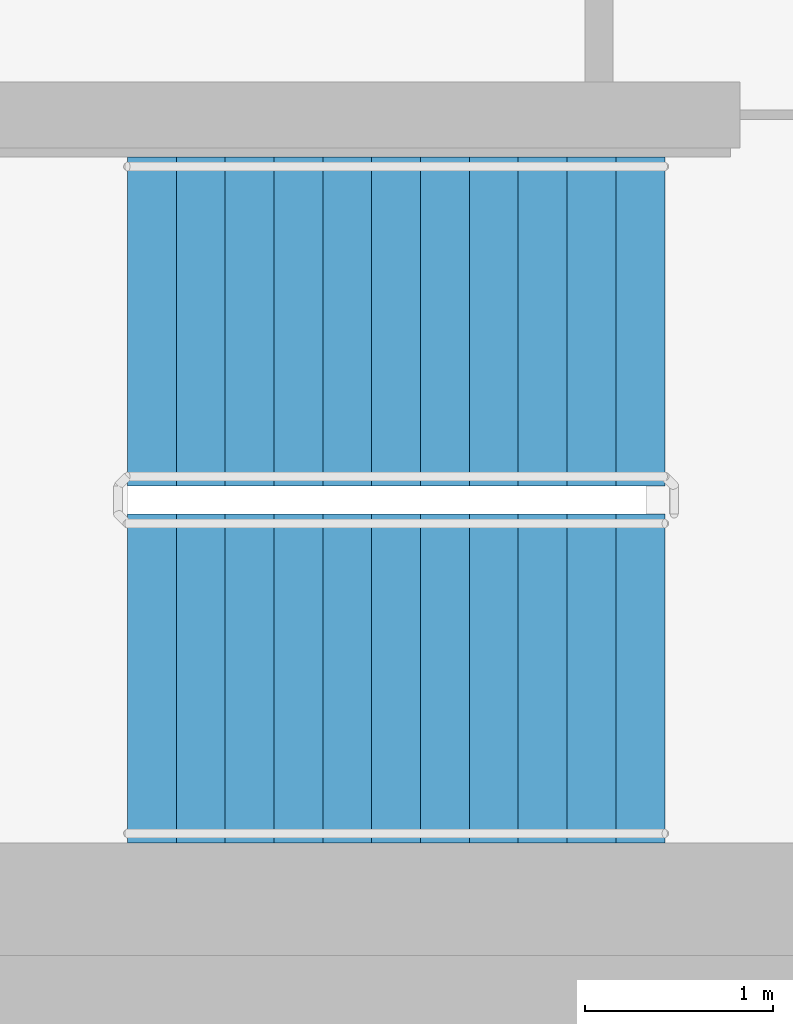
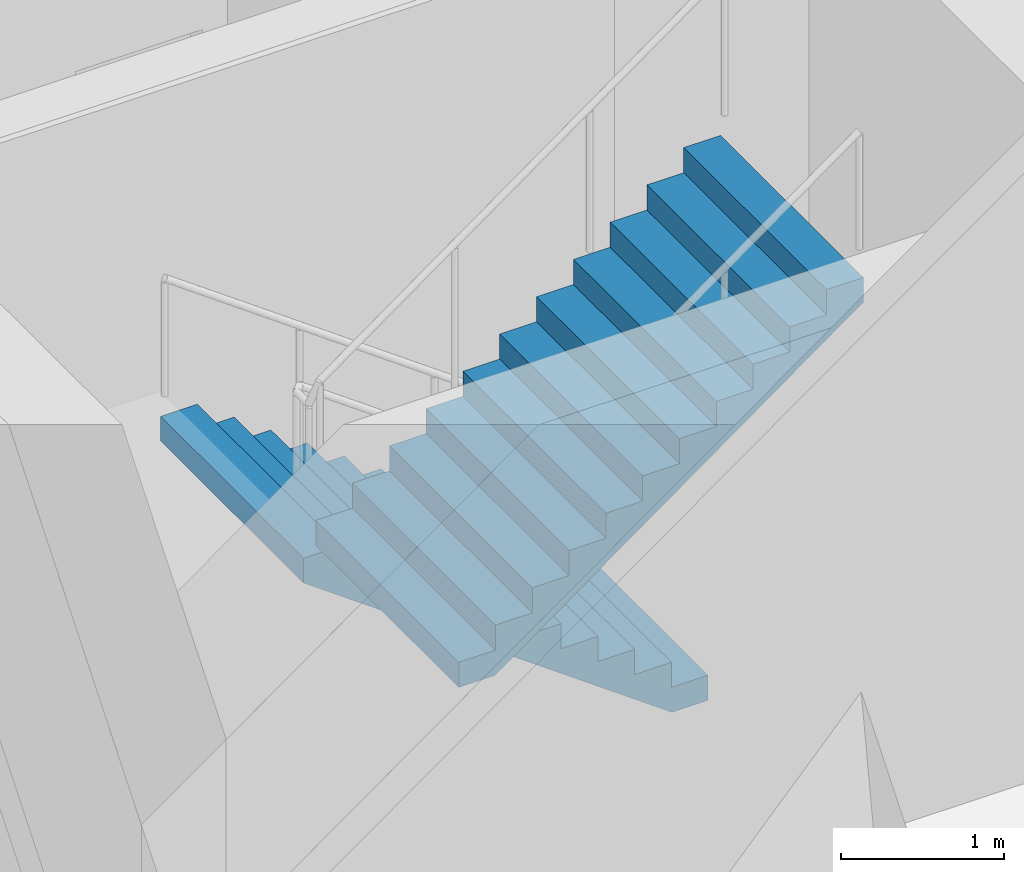
# One storey, part 8 of 12: 2 stair flights, 1 element without a shape of its own.
"""IFC4 building model written with IfcOpenShell, lengths in metres."""

from ifc_helpers import new_model, si_unit, direction, frame, origin, place, context, subcontext, project, spatial, faceted_brep, material, type_object, element, aggregate, save


model = new_model("IFC4")

# Units and contexts
model_context = context("Model", 3, precision=1e-05, world=origin(), true_north=direction((0.0, 1.0)))
body_context = subcontext(model_context, "Body", "Model", "MODEL_VIEW")
ifc_project = project(units=[si_unit("LENGTHUNIT", "METRE"), si_unit("AREAUNIT", "SQUARE_METRE"), si_unit("VOLUMEUNIT", "CUBIC_METRE"), si_unit("PLANEANGLEUNIT", "RADIAN"), si_unit("MASSUNIT", "GRAM", prefix="KILO")], contexts=[model_context])

# Site, building, storey
site_placement = place(None, origin())
site = spatial("IfcSite", under=ifc_project, at=site_placement, CompositionType="ELEMENT")
building_placement = place(site_placement, origin())
building = spatial("IfcBuilding", under=site, at=building_placement, Name="Ipe Terrace Towers", CompositionType="ELEMENT")
storey_placement = place(building_placement, frame((0.0, 0.0, 255.89990234375)))
storey = spatial("IfcBuildingStorey", under=building, at=storey_placement, Name="L70", CompositionType="ELEMENT", Elevation=255.89990234375)

# Stair, stair flights
ifc_material_1 = material(Name="Concrete C30/37", Category="concrete")
stair_type = type_object("IfcStairType", Name="Protected exit stair", PredefinedType="HALF_TURN_STAIR", material=ifc_material_1)
stair_placement = place(storey_placement, origin())
stair = element("IfcStair", 1, at=stair_placement, inside=storey, type_object=stair_type, Name="L70 Exit stair T1-C2", PredefinedType="HALF_TURN_STAIR")
ifc_material_2 = material(Name="Concrete C30/37", Category="concrete")
stair_flight_type = type_object("IfcStairFlightType", Name="Exit stair flight 1750", PredefinedType="STRAIGHT", material=ifc_material_2)
stair_flight_1_placement = place(storey_placement, frame((-45.699951171875, -2.77490234375, 0.0), z_axis=(0.0, 0.0, 1.0), x_axis=(-1.0, 0.0, 0.0)))
stair_flight_1 = element("IfcStairFlight", 2, at=stair_flight_1_placement, type_object=stair_flight_type, Name="T1-ST2 flight 1", NumberOfRisers=12, NumberOfTreads=11, PredefinedType="STRAIGHT", RiserHeight=0.1875, TreadLength=0.26, context=body_context, shape_type="Brep", body=[
    faceted_brep([(0.25634765625, -0.875, 0.0), (2.860107421875, -0.875, 1.877685546875), (2.860107421875, -0.875, 2.0625), (2.60009765625, -0.875, 2.0625), (2.60009765625, -0.875, 1.875), (2.340087890625, -0.875, 1.875), (2.340087890625, -0.875, 1.6875), (2.080078125, -0.875, 1.6875), (2.080078125, -0.875, 1.5), (1.820068359375, -0.875, 1.5), (1.820068359375, -0.875, 1.3125), (1.56005859375, -0.875, 1.3125), (1.56005859375, -0.875, 1.125), (1.300048828125, -0.875, 1.125), (1.300048828125, -0.875, 0.9375), (1.0400390625, -0.875, 0.9375), (1.0400390625, -0.875, 0.75), (0.780029296875, -0.875, 0.75), (0.780029296875, -0.875, 0.5625), (0.52001953125, -0.875, 0.5625), (0.52001953125, -0.875, 0.375), (0.260009765625, -0.875, 0.375), (0.260009765625, -0.875, 0.1875), (0.0, -0.875, 0.1875), (0.0, -0.875, 0.0), (0.0, 0.875, 0.0), (0.0, 0.875, 0.1875), (0.260009765625, 0.875, 0.1875), (0.260009765625, 0.875, 0.375), (0.52001953125, 0.875, 0.375), (0.52001953125, 0.875, 0.5625), (0.780029296875, 0.875, 0.5625), (0.780029296875, 0.875, 0.75), (1.0400390625, 0.875, 0.75), (1.0400390625, 0.875, 0.9375), (1.300048828125, 0.875, 0.9375), (1.300048828125, 0.875, 1.125), (1.56005859375, 0.875, 1.125), (1.56005859375, 0.875, 1.3125), (1.820068359375, 0.875, 1.3125), (1.820068359375, 0.875, 1.5), (2.080078125, 0.875, 1.5), (2.080078125, 0.875, 1.6875), (2.340087890625, 0.875, 1.6875), (2.340087890625, 0.875, 1.875), (2.60009765625, 0.875, 1.875), (2.60009765625, 0.875, 2.0625), (2.860107421875, 0.875, 2.0625), (2.860107421875, 0.875, 1.877685546875), (0.25634765625, 0.875, 0.0), (0.0, -0.300048828125, 0.1875), (0.0, -0.1201171875, 0.1875), (0.0, -0.06005859375, 0.1875), (0.0, -0.030029296875, 0.1875), (0.0, -0.010009765625, 0.1875), (0.0, 0.0, 0.1875), (0.0, 0.010009765625, 0.1875), (0.0, 0.030029296875, 0.1875), (0.0, 0.06005859375, 0.1875), (0.0, 0.1201171875, 0.1875), (0.0, 0.300048828125, 0.1875), (0.0, 0.300048828125, 0.0), (0.0, 0.1201171875, 0.0), (0.0, 0.06005859375, 0.0), (0.0, 0.030029296875, 0.0), (0.0, 0.010009765625, 0.0), (0.0, 0.0, 0.0), (0.0, -0.010009765625, 0.0), (0.0, -0.030029296875, 0.0), (0.0, -0.06005859375, 0.0), (0.0, -0.1201171875, 0.0), (0.0, -0.300048828125, 0.0), (0.260009765625, -0.300048828125, 0.1875), (0.260009765625, -0.1201171875, 0.1875), (0.260009765625, -0.06005859375, 0.1875), (0.260009765625, -0.030029296875, 0.1875), (0.260009765625, -0.010009765625, 0.1875), (0.260009765625, 0.0, 0.1875), (0.260009765625, 0.010009765625, 0.1875), (0.260009765625, 0.030029296875, 0.1875), (0.260009765625, 0.06005859375, 0.1875), (0.260009765625, 0.1201171875, 0.1875), (0.260009765625, 0.300048828125, 0.1875), (0.260009765625, -0.300048828125, 0.375), (0.260009765625, -0.1201171875, 0.375), (0.260009765625, -0.06005859375, 0.375), (0.260009765625, -0.030029296875, 0.375), (0.260009765625, -0.010009765625, 0.375), (0.260009765625, 0.0, 0.375), (0.260009765625, 0.010009765625, 0.375), (0.260009765625, 0.030029296875, 0.375), (0.260009765625, 0.06005859375, 0.375), (0.260009765625, 0.1201171875, 0.375), (0.260009765625, 0.300048828125, 0.375), (0.52001953125, -0.300048828125, 0.375), (0.52001953125, -0.1201171875, 0.375), (0.52001953125, -0.06005859375, 0.375), (0.52001953125, -0.030029296875, 0.375), (0.52001953125, -0.010009765625, 0.375), (0.52001953125, 0.0, 0.375), (0.52001953125, 0.010009765625, 0.375), (0.52001953125, 0.030029296875, 0.375), (0.52001953125, 0.06005859375, 0.375), (0.52001953125, 0.1201171875, 0.375), (0.52001953125, 0.300048828125, 0.375), (0.52001953125, -0.300048828125, 0.5625), (0.52001953125, -0.1201171875, 0.5625), (0.52001953125, -0.06005859375, 0.5625), (0.52001953125, -0.030029296875, 0.5625), (0.52001953125, -0.010009765625, 0.5625), (0.52001953125, 0.0, 0.5625), (0.52001953125, 0.010009765625, 0.5625), (0.52001953125, 0.030029296875, 0.5625), (0.52001953125, 0.06005859375, 0.5625), (0.52001953125, 0.1201171875, 0.5625), (0.52001953125, 0.300048828125, 0.5625), (0.780029296875, -0.300048828125, 0.5625), (0.780029296875, -0.1201171875, 0.5625), (0.780029296875, -0.06005859375, 0.5625), (0.780029296875, -0.030029296875, 0.5625), (0.780029296875, -0.010009765625, 0.5625), (0.780029296875, 0.0, 0.5625), (0.780029296875, 0.010009765625, 0.5625), (0.780029296875, 0.030029296875, 0.5625), (0.780029296875, 0.06005859375, 0.5625), (0.780029296875, 0.1201171875, 0.5625), (0.780029296875, 0.300048828125, 0.5625), (0.780029296875, -0.300048828125, 0.75), (0.780029296875, -0.1201171875, 0.75), (0.780029296875, -0.06005859375, 0.75), (0.780029296875, -0.030029296875, 0.75), (0.780029296875, -0.010009765625, 0.75), (0.780029296875, 0.0, 0.75), (0.780029296875, 0.010009765625, 0.75), (0.780029296875, 0.030029296875, 0.75), (0.780029296875, 0.06005859375, 0.75), (0.780029296875, 0.1201171875, 0.75), (0.780029296875, 0.300048828125, 0.75), (1.0400390625, -0.300048828125, 0.75), (1.0400390625, -0.1201171875, 0.75), (1.0400390625, -0.06005859375, 0.75), (1.0400390625, -0.030029296875, 0.75), (1.0400390625, -0.010009765625, 0.75), (1.0400390625, 0.0, 0.75), (1.0400390625, 0.010009765625, 0.75), (1.0400390625, 0.030029296875, 0.75), (1.0400390625, 0.06005859375, 0.75), (1.0400390625, 0.1201171875, 0.75), (1.0400390625, 0.300048828125, 0.75), (1.0400390625, -0.300048828125, 0.9375), (1.0400390625, -0.1201171875, 0.9375), (1.0400390625, -0.06005859375, 0.9375), (1.0400390625, -0.030029296875, 0.9375), (1.0400390625, -0.010009765625, 0.9375), (1.0400390625, 0.0, 0.9375), (1.0400390625, 0.010009765625, 0.9375), (1.0400390625, 0.030029296875, 0.9375), (1.0400390625, 0.06005859375, 0.9375), (1.0400390625, 0.1201171875, 0.9375), (1.0400390625, 0.300048828125, 0.9375), (1.300048828125, -0.300048828125, 0.9375), (1.300048828125, -0.1201171875, 0.9375), (1.300048828125, -0.06005859375, 0.9375), (1.300048828125, -0.030029296875, 0.9375), (1.300048828125, -0.010009765625, 0.9375), (1.300048828125, 0.0, 0.9375), (1.300048828125, 0.010009765625, 0.9375), (1.300048828125, 0.030029296875, 0.9375), (1.300048828125, 0.06005859375, 0.9375), (1.300048828125, 0.1201171875, 0.9375), (1.300048828125, 0.300048828125, 0.9375), (1.300048828125, -0.300048828125, 1.125), (1.300048828125, -0.1201171875, 1.125), (1.300048828125, -0.06005859375, 1.125), (1.300048828125, -0.030029296875, 1.125), (1.300048828125, -0.010009765625, 1.125), (1.300048828125, 0.0, 1.125), (1.300048828125, 0.010009765625, 1.125), (1.300048828125, 0.030029296875, 1.125), (1.300048828125, 0.06005859375, 1.125), (1.300048828125, 0.1201171875, 1.125), (1.300048828125, 0.300048828125, 1.125), (1.56005859375, -0.300048828125, 1.125), (1.56005859375, -0.1201171875, 1.125), (1.56005859375, -0.06005859375, 1.125), (1.56005859375, -0.030029296875, 1.125), (1.56005859375, -0.010009765625, 1.125), (1.56005859375, 0.0, 1.125), (1.56005859375, 0.010009765625, 1.125), (1.56005859375, 0.030029296875, 1.125), (1.56005859375, 0.06005859375, 1.125), (1.56005859375, 0.1201171875, 1.125), (1.56005859375, 0.300048828125, 1.125), (1.56005859375, -0.300048828125, 1.3125), (1.56005859375, -0.1201171875, 1.3125), (1.56005859375, -0.06005859375, 1.3125), (1.56005859375, -0.030029296875, 1.3125), (1.56005859375, -0.010009765625, 1.3125), (1.56005859375, 0.0, 1.3125), (1.56005859375, 0.010009765625, 1.3125), (1.56005859375, 0.030029296875, 1.3125), (1.56005859375, 0.06005859375, 1.3125), (1.56005859375, 0.1201171875, 1.3125), (1.56005859375, 0.300048828125, 1.3125), (1.820068359375, -0.300048828125, 1.3125), (1.820068359375, -0.1201171875, 1.3125), (1.820068359375, -0.06005859375, 1.3125), (1.820068359375, -0.030029296875, 1.3125), (1.820068359375, -0.010009765625, 1.3125), (1.820068359375, 0.0, 1.3125), (1.820068359375, 0.010009765625, 1.3125), (1.820068359375, 0.030029296875, 1.3125), (1.820068359375, 0.06005859375, 1.3125), (1.820068359375, 0.1201171875, 1.3125), (1.820068359375, 0.300048828125, 1.3125), (1.820068359375, -0.300048828125, 1.5), (1.820068359375, -0.1201171875, 1.5), (1.820068359375, -0.06005859375, 1.5), (1.820068359375, -0.030029296875, 1.5), (1.820068359375, -0.010009765625, 1.5), (1.820068359375, 0.0, 1.5), (1.820068359375, 0.010009765625, 1.5), (1.820068359375, 0.030029296875, 1.5), (1.820068359375, 0.06005859375, 1.5), (1.820068359375, 0.1201171875, 1.5), (1.820068359375, 0.300048828125, 1.5), (2.080078125, -0.300048828125, 1.5), (2.080078125, -0.1201171875, 1.5), (2.080078125, -0.06005859375, 1.5), (2.080078125, -0.030029296875, 1.5), (2.080078125, -0.010009765625, 1.5), (2.080078125, 0.0, 1.5), (2.080078125, 0.010009765625, 1.5), (2.080078125, 0.030029296875, 1.5), (2.080078125, 0.06005859375, 1.5), (2.080078125, 0.1201171875, 1.5), (2.080078125, 0.300048828125, 1.5), (2.080078125, -0.300048828125, 1.6875), (2.080078125, -0.1201171875, 1.6875), (2.080078125, -0.06005859375, 1.6875), (2.080078125, -0.030029296875, 1.6875), (2.080078125, -0.010009765625, 1.6875), (2.080078125, 0.0, 1.6875), (2.080078125, 0.010009765625, 1.6875), (2.080078125, 0.030029296875, 1.6875), (2.080078125, 0.06005859375, 1.6875), (2.080078125, 0.1201171875, 1.6875), (2.080078125, 0.300048828125, 1.6875), (2.340087890625, -0.300048828125, 1.6875), (2.340087890625, -0.1201171875, 1.6875), (2.340087890625, -0.06005859375, 1.6875), (2.340087890625, -0.030029296875, 1.6875), (2.340087890625, -0.010009765625, 1.6875), (2.340087890625, 0.0, 1.6875), (2.340087890625, 0.010009765625, 1.6875), (2.340087890625, 0.030029296875, 1.6875), (2.340087890625, 0.06005859375, 1.6875), (2.340087890625, 0.1201171875, 1.6875), (2.340087890625, 0.300048828125, 1.6875), (2.340087890625, -0.300048828125, 1.875), (2.340087890625, -0.1201171875, 1.875), (2.340087890625, -0.06005859375, 1.875), (2.340087890625, -0.030029296875, 1.875), (2.340087890625, -0.010009765625, 1.875), (2.340087890625, 0.0, 1.875), (2.340087890625, 0.010009765625, 1.875), (2.340087890625, 0.030029296875, 1.875), (2.340087890625, 0.06005859375, 1.875), (2.340087890625, 0.1201171875, 1.875), (2.340087890625, 0.300048828125, 1.875), (2.60009765625, -0.300048828125, 1.875), (2.60009765625, -0.1201171875, 1.875), (2.60009765625, -0.06005859375, 1.875), (2.60009765625, -0.030029296875, 1.875), (2.60009765625, -0.010009765625, 1.875), (2.60009765625, 0.0, 1.875), (2.60009765625, 0.010009765625, 1.875), (2.60009765625, 0.030029296875, 1.875), (2.60009765625, 0.06005859375, 1.875), (2.60009765625, 0.1201171875, 1.875), (2.60009765625, 0.300048828125, 1.875), (2.60009765625, -0.300048828125, 2.0625), (2.60009765625, -0.1201171875, 2.0625), (2.60009765625, -0.06005859375, 2.0625), (2.60009765625, -0.030029296875, 2.0625), (2.60009765625, -0.010009765625, 2.0625), (2.60009765625, 0.0, 2.0625), (2.60009765625, 0.010009765625, 2.0625), (2.60009765625, 0.030029296875, 2.0625), (2.60009765625, 0.06005859375, 2.0625), (2.60009765625, 0.1201171875, 2.0625), (2.60009765625, 0.300048828125, 2.0625), (2.860107421875, -0.300048828125, 2.0625), (2.860107421875, -0.1201171875, 2.0625), (2.860107421875, -0.06005859375, 2.0625), (2.860107421875, -0.030029296875, 2.0625), (2.860107421875, -0.010009765625, 2.0625), (2.860107421875, 0.0, 2.0625), (2.860107421875, 0.010009765625, 2.0625), (2.860107421875, 0.030029296875, 2.0625), (2.860107421875, 0.06005859375, 2.0625), (2.860107421875, 0.1201171875, 2.0625), (2.860107421875, 0.300048828125, 2.0625), (2.860107421875, -0.300048828125, 1.877685546875), (2.860107421875, -0.1201171875, 1.877685546875), (2.860107421875, -0.06005859375, 1.877685546875), (2.860107421875, -0.030029296875, 1.877685546875), (2.860107421875, -0.010009765625, 1.877685546875), (2.860107421875, 0.0, 1.877685546875), (2.860107421875, 0.010009765625, 1.877685546875), (2.860107421875, 0.030029296875, 1.877685546875), (2.860107421875, 0.06005859375, 1.877685546875), (2.860107421875, 0.1201171875, 1.877685546875), (2.860107421875, 0.300048828125, 1.877685546875), (0.25634765625, -0.300048828125, 0.0), (0.25634765625, -0.1201171875, 0.0), (0.25634765625, -0.06005859375, 0.0), (0.25634765625, -0.030029296875, 0.0), (0.25634765625, -0.010009765625, 0.0), (0.25634765625, 0.0, 0.0), (0.25634765625, 0.010009765625, 0.0), (0.25634765625, 0.030029296875, 0.0), (0.25634765625, 0.06005859375, 0.0), (0.25634765625, 0.1201171875, 0.0), (0.25634765625, 0.300048828125, 0.0)], [[[0, 1, 2, 3, 4, 5, 6, 7, 8, 9, 10, 11, 12, 13, 14, 15, 16, 17, 18, 19, 20, 21, 22, 23, 24]], [[25, 26, 27, 28, 29, 30, 31, 32, 33, 34, 35, 36, 37, 38, 39, 40, 41, 42, 43, 44, 45, 46, 47, 48, 49]], [[23, 50, 51, 52, 53, 54, 55, 56, 57, 58, 59, 60, 26, 25, 61, 62, 63, 64, 65, 66, 67, 68, 69, 70, 71, 24]], [[22, 72, 73, 74, 75, 76, 77, 78, 79, 80, 81, 82, 27, 26, 60, 59, 58, 57, 56, 55, 54, 53, 52, 51, 50, 23]], [[21, 83, 84, 85, 86, 87, 88, 89, 90, 91, 92, 93, 28, 27, 82, 81, 80, 79, 78, 77, 76, 75, 74, 73, 72, 22]], [[20, 94, 95, 96, 97, 98, 99, 100, 101, 102, 103, 104, 29, 28, 93, 92, 91, 90, 89, 88, 87, 86, 85, 84, 83, 21]], [[19, 105, 106, 107, 108, 109, 110, 111, 112, 113, 114, 115, 30, 29, 104, 103, 102, 101, 100, 99, 98, 97, 96, 95, 94, 20]], [[18, 116, 117, 118, 119, 120, 121, 122, 123, 124, 125, 126, 31, 30, 115, 114, 113, 112, 111, 110, 109, 108, 107, 106, 105, 19]], [[17, 127, 128, 129, 130, 131, 132, 133, 134, 135, 136, 137, 32, 31, 126, 125, 124, 123, 122, 121, 120, 119, 118, 117, 116, 18]], [[16, 138, 139, 140, 141, 142, 143, 144, 145, 146, 147, 148, 33, 32, 137, 136, 135, 134, 133, 132, 131, 130, 129, 128, 127, 17]], [[15, 149, 150, 151, 152, 153, 154, 155, 156, 157, 158, 159, 34, 33, 148, 147, 146, 145, 144, 143, 142, 141, 140, 139, 138, 16]], [[14, 160, 161, 162, 163, 164, 165, 166, 167, 168, 169, 170, 35, 34, 159, 158, 157, 156, 155, 154, 153, 152, 151, 150, 149, 15]], [[13, 171, 172, 173, 174, 175, 176, 177, 178, 179, 180, 181, 36, 35, 170, 169, 168, 167, 166, 165, 164, 163, 162, 161, 160, 14]], [[12, 182, 183, 184, 185, 186, 187, 188, 189, 190, 191, 192, 37, 36, 181, 180, 179, 178, 177, 176, 175, 174, 173, 172, 171, 13]], [[11, 193, 194, 195, 196, 197, 198, 199, 200, 201, 202, 203, 38, 37, 192, 191, 190, 189, 188, 187, 186, 185, 184, 183, 182, 12]], [[10, 204, 205, 206, 207, 208, 209, 210, 211, 212, 213, 214, 39, 38, 203, 202, 201, 200, 199, 198, 197, 196, 195, 194, 193, 11]], [[9, 215, 216, 217, 218, 219, 220, 221, 222, 223, 224, 225, 40, 39, 214, 213, 212, 211, 210, 209, 208, 207, 206, 205, 204, 10]], [[8, 226, 227, 228, 229, 230, 231, 232, 233, 234, 235, 236, 41, 40, 225, 224, 223, 222, 221, 220, 219, 218, 217, 216, 215, 9]], [[7, 237, 238, 239, 240, 241, 242, 243, 244, 245, 246, 247, 42, 41, 236, 235, 234, 233, 232, 231, 230, 229, 228, 227, 226, 8]], [[6, 248, 249, 250, 251, 252, 253, 254, 255, 256, 257, 258, 43, 42, 247, 246, 245, 244, 243, 242, 241, 240, 239, 238, 237, 7]], [[5, 259, 260, 261, 262, 263, 264, 265, 266, 267, 268, 269, 44, 43, 258, 257, 256, 255, 254, 253, 252, 251, 250, 249, 248, 6]], [[4, 270, 271, 272, 273, 274, 275, 276, 277, 278, 279, 280, 45, 44, 269, 268, 267, 266, 265, 264, 263, 262, 261, 260, 259, 5]], [[3, 281, 282, 283, 284, 285, 286, 287, 288, 289, 290, 291, 46, 45, 280, 279, 278, 277, 276, 275, 274, 273, 272, 271, 270, 4]], [[2, 292, 293, 294, 295, 296, 297, 298, 299, 300, 301, 302, 47, 46, 291, 290, 289, 288, 287, 286, 285, 284, 283, 282, 281, 3]], [[1, 303, 304, 305, 306, 307, 308, 309, 310, 311, 312, 313, 48, 47, 302, 301, 300, 299, 298, 297, 296, 295, 294, 293, 292, 2]], [[0, 314, 315, 316, 317, 318, 319, 320, 321, 322, 323, 324, 49, 48, 313, 312, 311, 310, 309, 308, 307, 306, 305, 304, 303, 1]], [[24, 71, 70, 69, 68, 67, 66, 65, 64, 63, 62, 61, 25, 49, 324, 323, 322, 321, 320, 319, 318, 317, 316, 315, 314, 0]]]),
])
stair_flight_2_placement = place(storey_placement, frame((-48.56005859375, -4.675048828125, 2.25), z_axis=(0.0, 0.0, 1.0), x_axis=(1.0, 0.0, 0.0)))
stair_flight_2 = element("IfcStairFlight", 3, at=stair_flight_2_placement, type_object=stair_flight_type, Name="T1-ST2 flight 2", NumberOfRisers=12, NumberOfTreads=11, PredefinedType="STRAIGHT", RiserHeight=0.1875, TreadLength=0.26, context=body_context, shape_type="Brep", body=[
    faceted_brep([(0.25634765625, -0.875, 0.0), (2.860107421875, -0.875, 1.877685546875), (2.860107421875, -0.875, 2.0625), (2.60009765625, -0.875, 2.0625), (2.60009765625, -0.875, 1.875), (2.340087890625, -0.875, 1.875), (2.340087890625, -0.875, 1.6875), (2.080078125, -0.875, 1.6875), (2.080078125, -0.875, 1.5), (1.820068359375, -0.875, 1.5), (1.820068359375, -0.875, 1.3125), (1.56005859375, -0.875, 1.3125), (1.56005859375, -0.875, 1.125), (1.300048828125, -0.875, 1.125), (1.300048828125, -0.875, 0.9375), (1.0400390625, -0.875, 0.9375), (1.0400390625, -0.875, 0.75), (0.780029296875, -0.875, 0.75), (0.780029296875, -0.875, 0.5625), (0.52001953125, -0.875, 0.5625), (0.52001953125, -0.875, 0.375), (0.260009765625, -0.875, 0.375), (0.260009765625, -0.875, 0.1875), (0.0, -0.875, 0.1875), (0.0, -0.875, 0.0), (0.0, 0.875, 0.0), (0.0, 0.875, 0.1875), (0.260009765625, 0.875, 0.1875), (0.260009765625, 0.875, 0.375), (0.52001953125, 0.875, 0.375), (0.52001953125, 0.875, 0.5625), (0.780029296875, 0.875, 0.5625), (0.780029296875, 0.875, 0.75), (1.0400390625, 0.875, 0.75), (1.0400390625, 0.875, 0.9375), (1.300048828125, 0.875, 0.9375), (1.300048828125, 0.875, 1.125), (1.56005859375, 0.875, 1.125), (1.56005859375, 0.875, 1.3125), (1.820068359375, 0.875, 1.3125), (1.820068359375, 0.875, 1.5), (2.080078125, 0.875, 1.5), (2.080078125, 0.875, 1.6875), (2.340087890625, 0.875, 1.6875), (2.340087890625, 0.875, 1.875), (2.60009765625, 0.875, 1.875), (2.60009765625, 0.875, 2.0625), (2.860107421875, 0.875, 2.0625), (2.860107421875, 0.875, 1.877685546875), (0.25634765625, 0.875, 0.0), (0.0, -0.300048828125, 0.1875), (0.0, -0.1201171875, 0.1875), (0.0, -0.06005859375, 0.1875), (0.0, -0.030029296875, 0.1875), (0.0, -0.010009765625, 0.1875), (0.0, 0.0, 0.1875), (0.0, 0.010009765625, 0.1875), (0.0, 0.030029296875, 0.1875), (0.0, 0.06005859375, 0.1875), (0.0, 0.1201171875, 0.1875), (0.0, 0.300048828125, 0.1875), (0.0, 0.300048828125, 0.0), (0.0, 0.1201171875, 0.0), (0.0, 0.06005859375, 0.0), (0.0, 0.030029296875, 0.0), (0.0, 0.010009765625, 0.0), (0.0, 0.0, 0.0), (0.0, -0.010009765625, 0.0), (0.0, -0.030029296875, 0.0), (0.0, -0.06005859375, 0.0), (0.0, -0.1201171875, 0.0), (0.0, -0.300048828125, 0.0), (0.260009765625, -0.300048828125, 0.1875), (0.260009765625, -0.1201171875, 0.1875), (0.260009765625, -0.06005859375, 0.1875), (0.260009765625, -0.030029296875, 0.1875), (0.260009765625, -0.010009765625, 0.1875), (0.260009765625, 0.0, 0.1875), (0.260009765625, 0.010009765625, 0.1875), (0.260009765625, 0.030029296875, 0.1875), (0.260009765625, 0.06005859375, 0.1875), (0.260009765625, 0.1201171875, 0.1875), (0.260009765625, 0.300048828125, 0.1875), (0.260009765625, -0.300048828125, 0.375), (0.260009765625, -0.1201171875, 0.375), (0.260009765625, -0.06005859375, 0.375), (0.260009765625, -0.030029296875, 0.375), (0.260009765625, -0.010009765625, 0.375), (0.260009765625, 0.0, 0.375), (0.260009765625, 0.010009765625, 0.375), (0.260009765625, 0.030029296875, 0.375), (0.260009765625, 0.06005859375, 0.375), (0.260009765625, 0.1201171875, 0.375), (0.260009765625, 0.300048828125, 0.375), (0.52001953125, -0.300048828125, 0.375), (0.52001953125, -0.1201171875, 0.375), (0.52001953125, -0.06005859375, 0.375), (0.52001953125, -0.030029296875, 0.375), (0.52001953125, -0.010009765625, 0.375), (0.52001953125, 0.0, 0.375), (0.52001953125, 0.010009765625, 0.375), (0.52001953125, 0.030029296875, 0.375), (0.52001953125, 0.06005859375, 0.375), (0.52001953125, 0.1201171875, 0.375), (0.52001953125, 0.300048828125, 0.375), (0.52001953125, -0.300048828125, 0.5625), (0.52001953125, -0.1201171875, 0.5625), (0.52001953125, -0.06005859375, 0.5625), (0.52001953125, -0.030029296875, 0.5625), (0.52001953125, -0.010009765625, 0.5625), (0.52001953125, 0.0, 0.5625), (0.52001953125, 0.010009765625, 0.5625), (0.52001953125, 0.030029296875, 0.5625), (0.52001953125, 0.06005859375, 0.5625), (0.52001953125, 0.1201171875, 0.5625), (0.52001953125, 0.300048828125, 0.5625), (0.780029296875, -0.300048828125, 0.5625), (0.780029296875, -0.1201171875, 0.5625), (0.780029296875, -0.06005859375, 0.5625), (0.780029296875, -0.030029296875, 0.5625), (0.780029296875, -0.010009765625, 0.5625), (0.780029296875, 0.0, 0.5625), (0.780029296875, 0.010009765625, 0.5625), (0.780029296875, 0.030029296875, 0.5625), (0.780029296875, 0.06005859375, 0.5625), (0.780029296875, 0.1201171875, 0.5625), (0.780029296875, 0.300048828125, 0.5625), (0.780029296875, -0.300048828125, 0.75), (0.780029296875, -0.1201171875, 0.75), (0.780029296875, -0.06005859375, 0.75), (0.780029296875, -0.030029296875, 0.75), (0.780029296875, -0.010009765625, 0.75), (0.780029296875, 0.0, 0.75), (0.780029296875, 0.010009765625, 0.75), (0.780029296875, 0.030029296875, 0.75), (0.780029296875, 0.06005859375, 0.75), (0.780029296875, 0.1201171875, 0.75), (0.780029296875, 0.300048828125, 0.75), (1.0400390625, -0.300048828125, 0.75), (1.0400390625, -0.1201171875, 0.75), (1.0400390625, -0.06005859375, 0.75), (1.0400390625, -0.030029296875, 0.75), (1.0400390625, -0.010009765625, 0.75), (1.0400390625, 0.0, 0.75), (1.0400390625, 0.010009765625, 0.75), (1.0400390625, 0.030029296875, 0.75), (1.0400390625, 0.06005859375, 0.75), (1.0400390625, 0.1201171875, 0.75), (1.0400390625, 0.300048828125, 0.75), (1.0400390625, -0.300048828125, 0.9375), (1.0400390625, -0.1201171875, 0.9375), (1.0400390625, -0.06005859375, 0.9375), (1.0400390625, -0.030029296875, 0.9375), (1.0400390625, -0.010009765625, 0.9375), (1.0400390625, 0.0, 0.9375), (1.0400390625, 0.010009765625, 0.9375), (1.0400390625, 0.030029296875, 0.9375), (1.0400390625, 0.06005859375, 0.9375), (1.0400390625, 0.1201171875, 0.9375), (1.0400390625, 0.300048828125, 0.9375), (1.300048828125, -0.300048828125, 0.9375), (1.300048828125, -0.1201171875, 0.9375), (1.300048828125, -0.06005859375, 0.9375), (1.300048828125, -0.030029296875, 0.9375), (1.300048828125, -0.010009765625, 0.9375), (1.300048828125, 0.0, 0.9375), (1.300048828125, 0.010009765625, 0.9375), (1.300048828125, 0.030029296875, 0.9375), (1.300048828125, 0.06005859375, 0.9375), (1.300048828125, 0.1201171875, 0.9375), (1.300048828125, 0.300048828125, 0.9375), (1.300048828125, -0.300048828125, 1.125), (1.300048828125, -0.1201171875, 1.125), (1.300048828125, -0.06005859375, 1.125), (1.300048828125, -0.030029296875, 1.125), (1.300048828125, -0.010009765625, 1.125), (1.300048828125, 0.0, 1.125), (1.300048828125, 0.010009765625, 1.125), (1.300048828125, 0.030029296875, 1.125), (1.300048828125, 0.06005859375, 1.125), (1.300048828125, 0.1201171875, 1.125), (1.300048828125, 0.300048828125, 1.125), (1.56005859375, -0.300048828125, 1.125), (1.56005859375, -0.1201171875, 1.125), (1.56005859375, -0.06005859375, 1.125), (1.56005859375, -0.030029296875, 1.125), (1.56005859375, -0.010009765625, 1.125), (1.56005859375, 0.0, 1.125), (1.56005859375, 0.010009765625, 1.125), (1.56005859375, 0.030029296875, 1.125), (1.56005859375, 0.06005859375, 1.125), (1.56005859375, 0.1201171875, 1.125), (1.56005859375, 0.300048828125, 1.125), (1.56005859375, -0.300048828125, 1.3125), (1.56005859375, -0.1201171875, 1.3125), (1.56005859375, -0.06005859375, 1.3125), (1.56005859375, -0.030029296875, 1.3125), (1.56005859375, -0.010009765625, 1.3125), (1.56005859375, 0.0, 1.3125), (1.56005859375, 0.010009765625, 1.3125), (1.56005859375, 0.030029296875, 1.3125), (1.56005859375, 0.06005859375, 1.3125), (1.56005859375, 0.1201171875, 1.3125), (1.56005859375, 0.300048828125, 1.3125), (1.820068359375, -0.300048828125, 1.3125), (1.820068359375, -0.1201171875, 1.3125), (1.820068359375, -0.06005859375, 1.3125), (1.820068359375, -0.030029296875, 1.3125), (1.820068359375, -0.010009765625, 1.3125), (1.820068359375, 0.0, 1.3125), (1.820068359375, 0.010009765625, 1.3125), (1.820068359375, 0.030029296875, 1.3125), (1.820068359375, 0.06005859375, 1.3125), (1.820068359375, 0.1201171875, 1.3125), (1.820068359375, 0.300048828125, 1.3125), (1.820068359375, -0.300048828125, 1.5), (1.820068359375, -0.1201171875, 1.5), (1.820068359375, -0.06005859375, 1.5), (1.820068359375, -0.030029296875, 1.5), (1.820068359375, -0.010009765625, 1.5), (1.820068359375, 0.0, 1.5), (1.820068359375, 0.010009765625, 1.5), (1.820068359375, 0.030029296875, 1.5), (1.820068359375, 0.06005859375, 1.5), (1.820068359375, 0.1201171875, 1.5), (1.820068359375, 0.300048828125, 1.5), (2.080078125, -0.300048828125, 1.5), (2.080078125, -0.1201171875, 1.5), (2.080078125, -0.06005859375, 1.5), (2.080078125, -0.030029296875, 1.5), (2.080078125, -0.010009765625, 1.5), (2.080078125, 0.0, 1.5), (2.080078125, 0.010009765625, 1.5), (2.080078125, 0.030029296875, 1.5), (2.080078125, 0.06005859375, 1.5), (2.080078125, 0.1201171875, 1.5), (2.080078125, 0.300048828125, 1.5), (2.080078125, -0.300048828125, 1.6875), (2.080078125, -0.1201171875, 1.6875), (2.080078125, -0.06005859375, 1.6875), (2.080078125, -0.030029296875, 1.6875), (2.080078125, -0.010009765625, 1.6875), (2.080078125, 0.0, 1.6875), (2.080078125, 0.010009765625, 1.6875), (2.080078125, 0.030029296875, 1.6875), (2.080078125, 0.06005859375, 1.6875), (2.080078125, 0.1201171875, 1.6875), (2.080078125, 0.300048828125, 1.6875), (2.340087890625, -0.300048828125, 1.6875), (2.340087890625, -0.1201171875, 1.6875), (2.340087890625, -0.06005859375, 1.6875), (2.340087890625, -0.030029296875, 1.6875), (2.340087890625, -0.010009765625, 1.6875), (2.340087890625, 0.0, 1.6875), (2.340087890625, 0.010009765625, 1.6875), (2.340087890625, 0.030029296875, 1.6875), (2.340087890625, 0.06005859375, 1.6875), (2.340087890625, 0.1201171875, 1.6875), (2.340087890625, 0.300048828125, 1.6875), (2.340087890625, -0.300048828125, 1.875), (2.340087890625, -0.1201171875, 1.875), (2.340087890625, -0.06005859375, 1.875), (2.340087890625, -0.030029296875, 1.875), (2.340087890625, -0.010009765625, 1.875), (2.340087890625, 0.0, 1.875), (2.340087890625, 0.010009765625, 1.875), (2.340087890625, 0.030029296875, 1.875), (2.340087890625, 0.06005859375, 1.875), (2.340087890625, 0.1201171875, 1.875), (2.340087890625, 0.300048828125, 1.875), (2.60009765625, -0.300048828125, 1.875), (2.60009765625, -0.1201171875, 1.875), (2.60009765625, -0.06005859375, 1.875), (2.60009765625, -0.030029296875, 1.875), (2.60009765625, -0.010009765625, 1.875), (2.60009765625, 0.0, 1.875), (2.60009765625, 0.010009765625, 1.875), (2.60009765625, 0.030029296875, 1.875), (2.60009765625, 0.06005859375, 1.875), (2.60009765625, 0.1201171875, 1.875), (2.60009765625, 0.300048828125, 1.875), (2.60009765625, -0.300048828125, 2.0625), (2.60009765625, -0.1201171875, 2.0625), (2.60009765625, -0.06005859375, 2.0625), (2.60009765625, -0.030029296875, 2.0625), (2.60009765625, -0.010009765625, 2.0625), (2.60009765625, 0.0, 2.0625), (2.60009765625, 0.010009765625, 2.0625), (2.60009765625, 0.030029296875, 2.0625), (2.60009765625, 0.06005859375, 2.0625), (2.60009765625, 0.1201171875, 2.0625), (2.60009765625, 0.300048828125, 2.0625), (2.860107421875, -0.300048828125, 2.0625), (2.860107421875, -0.1201171875, 2.0625), (2.860107421875, -0.06005859375, 2.0625), (2.860107421875, -0.030029296875, 2.0625), (2.860107421875, -0.010009765625, 2.0625), (2.860107421875, 0.0, 2.0625), (2.860107421875, 0.010009765625, 2.0625), (2.860107421875, 0.030029296875, 2.0625), (2.860107421875, 0.06005859375, 2.0625), (2.860107421875, 0.1201171875, 2.0625), (2.860107421875, 0.300048828125, 2.0625), (2.860107421875, -0.300048828125, 1.877685546875), (2.860107421875, -0.1201171875, 1.877685546875), (2.860107421875, -0.06005859375, 1.877685546875), (2.860107421875, -0.030029296875, 1.877685546875), (2.860107421875, -0.010009765625, 1.877685546875), (2.860107421875, 0.0, 1.877685546875), (2.860107421875, 0.010009765625, 1.877685546875), (2.860107421875, 0.030029296875, 1.877685546875), (2.860107421875, 0.06005859375, 1.877685546875), (2.860107421875, 0.1201171875, 1.877685546875), (2.860107421875, 0.300048828125, 1.877685546875), (0.25634765625, -0.300048828125, 0.0), (0.25634765625, -0.1201171875, 0.0), (0.25634765625, -0.06005859375, 0.0), (0.25634765625, -0.030029296875, 0.0), (0.25634765625, -0.010009765625, 0.0), (0.25634765625, 0.0, 0.0), (0.25634765625, 0.010009765625, 0.0), (0.25634765625, 0.030029296875, 0.0), (0.25634765625, 0.06005859375, 0.0), (0.25634765625, 0.1201171875, 0.0), (0.25634765625, 0.300048828125, 0.0)], [[[0, 1, 2, 3, 4, 5, 6, 7, 8, 9, 10, 11, 12, 13, 14, 15, 16, 17, 18, 19, 20, 21, 22, 23, 24]], [[25, 26, 27, 28, 29, 30, 31, 32, 33, 34, 35, 36, 37, 38, 39, 40, 41, 42, 43, 44, 45, 46, 47, 48, 49]], [[23, 50, 51, 52, 53, 54, 55, 56, 57, 58, 59, 60, 26, 25, 61, 62, 63, 64, 65, 66, 67, 68, 69, 70, 71, 24]], [[22, 72, 73, 74, 75, 76, 77, 78, 79, 80, 81, 82, 27, 26, 60, 59, 58, 57, 56, 55, 54, 53, 52, 51, 50, 23]], [[21, 83, 84, 85, 86, 87, 88, 89, 90, 91, 92, 93, 28, 27, 82, 81, 80, 79, 78, 77, 76, 75, 74, 73, 72, 22]], [[20, 94, 95, 96, 97, 98, 99, 100, 101, 102, 103, 104, 29, 28, 93, 92, 91, 90, 89, 88, 87, 86, 85, 84, 83, 21]], [[19, 105, 106, 107, 108, 109, 110, 111, 112, 113, 114, 115, 30, 29, 104, 103, 102, 101, 100, 99, 98, 97, 96, 95, 94, 20]], [[18, 116, 117, 118, 119, 120, 121, 122, 123, 124, 125, 126, 31, 30, 115, 114, 113, 112, 111, 110, 109, 108, 107, 106, 105, 19]], [[17, 127, 128, 129, 130, 131, 132, 133, 134, 135, 136, 137, 32, 31, 126, 125, 124, 123, 122, 121, 120, 119, 118, 117, 116, 18]], [[16, 138, 139, 140, 141, 142, 143, 144, 145, 146, 147, 148, 33, 32, 137, 136, 135, 134, 133, 132, 131, 130, 129, 128, 127, 17]], [[15, 149, 150, 151, 152, 153, 154, 155, 156, 157, 158, 159, 34, 33, 148, 147, 146, 145, 144, 143, 142, 141, 140, 139, 138, 16]], [[14, 160, 161, 162, 163, 164, 165, 166, 167, 168, 169, 170, 35, 34, 159, 158, 157, 156, 155, 154, 153, 152, 151, 150, 149, 15]], [[13, 171, 172, 173, 174, 175, 176, 177, 178, 179, 180, 181, 36, 35, 170, 169, 168, 167, 166, 165, 164, 163, 162, 161, 160, 14]], [[12, 182, 183, 184, 185, 186, 187, 188, 189, 190, 191, 192, 37, 36, 181, 180, 179, 178, 177, 176, 175, 174, 173, 172, 171, 13]], [[11, 193, 194, 195, 196, 197, 198, 199, 200, 201, 202, 203, 38, 37, 192, 191, 190, 189, 188, 187, 186, 185, 184, 183, 182, 12]], [[10, 204, 205, 206, 207, 208, 209, 210, 211, 212, 213, 214, 39, 38, 203, 202, 201, 200, 199, 198, 197, 196, 195, 194, 193, 11]], [[9, 215, 216, 217, 218, 219, 220, 221, 222, 223, 224, 225, 40, 39, 214, 213, 212, 211, 210, 209, 208, 207, 206, 205, 204, 10]], [[8, 226, 227, 228, 229, 230, 231, 232, 233, 234, 235, 236, 41, 40, 225, 224, 223, 222, 221, 220, 219, 218, 217, 216, 215, 9]], [[7, 237, 238, 239, 240, 241, 242, 243, 244, 245, 246, 247, 42, 41, 236, 235, 234, 233, 232, 231, 230, 229, 228, 227, 226, 8]], [[6, 248, 249, 250, 251, 252, 253, 254, 255, 256, 257, 258, 43, 42, 247, 246, 245, 244, 243, 242, 241, 240, 239, 238, 237, 7]], [[5, 259, 260, 261, 262, 263, 264, 265, 266, 267, 268, 269, 44, 43, 258, 257, 256, 255, 254, 253, 252, 251, 250, 249, 248, 6]], [[4, 270, 271, 272, 273, 274, 275, 276, 277, 278, 279, 280, 45, 44, 269, 268, 267, 266, 265, 264, 263, 262, 261, 260, 259, 5]], [[3, 281, 282, 283, 284, 285, 286, 287, 288, 289, 290, 291, 46, 45, 280, 279, 278, 277, 276, 275, 274, 273, 272, 271, 270, 4]], [[2, 292, 293, 294, 295, 296, 297, 298, 299, 300, 301, 302, 47, 46, 291, 290, 289, 288, 287, 286, 285, 284, 283, 282, 281, 3]], [[1, 303, 304, 305, 306, 307, 308, 309, 310, 311, 312, 313, 48, 47, 302, 301, 300, 299, 298, 297, 296, 295, 294, 293, 292, 2]], [[0, 314, 315, 316, 317, 318, 319, 320, 321, 322, 323, 324, 49, 48, 313, 312, 311, 310, 309, 308, 307, 306, 305, 304, 303, 1]], [[24, 71, 70, 69, 68, 67, 66, 65, 64, 63, 62, 61, 25, 49, 324, 323, 322, 321, 320, 319, 318, 317, 316, 315, 314, 0]]]),
])
aggregate(stair, [stair_flight_1, stair_flight_2])

save(model, "model.ifc")
